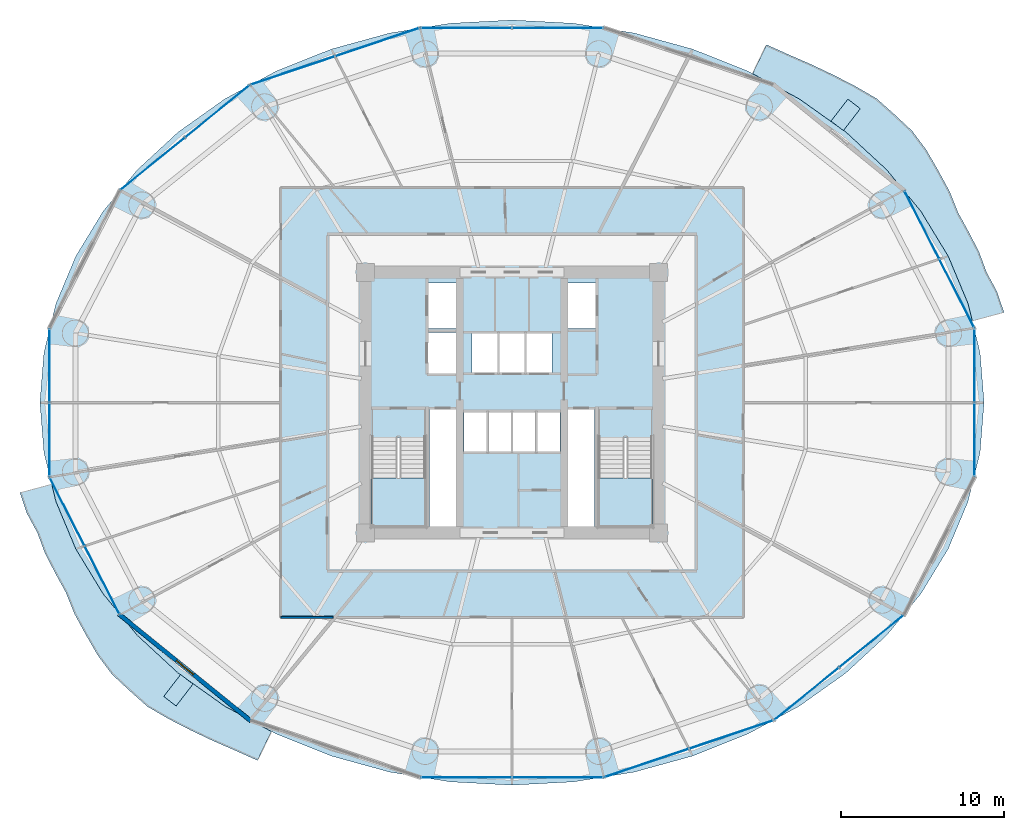
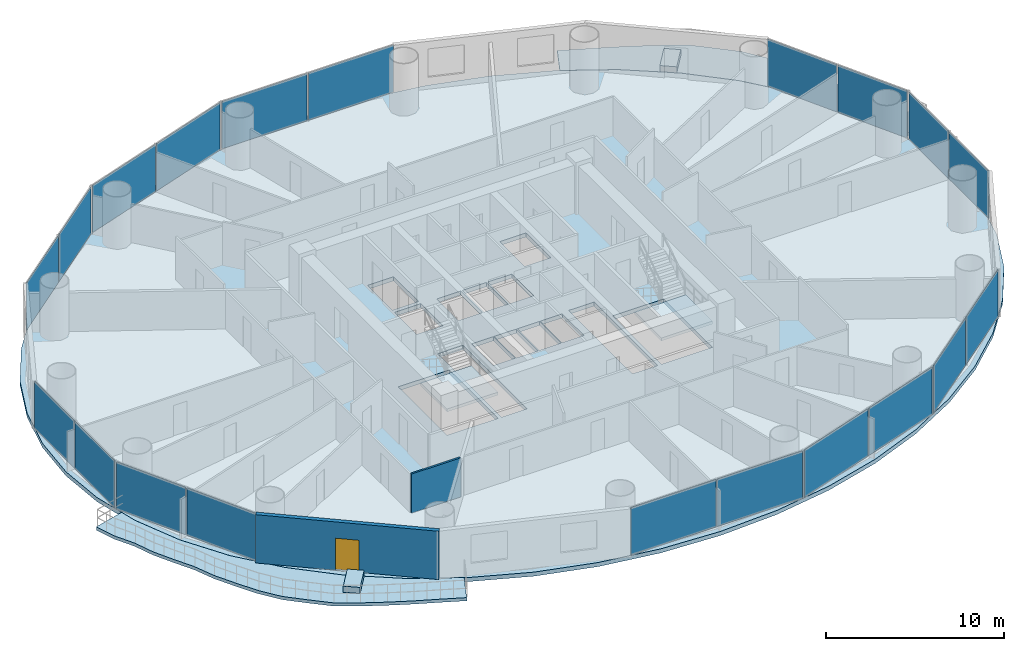
# One storey, part 21 of 29: 20 plates, 7 slabs, 2 walls, 1 door, 1 opening, 12 elements without a shape of their own.
"""IFC4 building model written with IfcOpenShell, lengths in metres."""

from ifc_helpers import new_model, si_unit, direction, frame, frame_2d, origin, origin_2d, place, context, subcontext, project, spatial, polyline, rectangle, outline, extrude, source, transform, mapped, material, layer, layer_set, type_object, element, fill, aggregate, save


model = new_model("IFC4")

# Units and contexts
model_context = context("Model", 3, precision=1e-05, world=origin(), true_north=direction((-0.2419218956, 0.970295726276)))
body_context = subcontext(model_context, "Body", "Model", "MODEL_VIEW")
ifc_project = project(units=[si_unit("LENGTHUNIT", "METRE"), si_unit("AREAUNIT", "SQUARE_METRE"), si_unit("VOLUMEUNIT", "CUBIC_METRE"), si_unit("PLANEANGLEUNIT", "RADIAN"), si_unit("MASSUNIT", "GRAM", prefix="KILO")], contexts=[model_context])

# Site, building, storey
site_placement = place(None, origin())
site = spatial("IfcSite", under=ifc_project, at=site_placement, CompositionType="ELEMENT")
building_placement = place(site_placement, origin())
building = spatial("IfcBuilding", under=site, at=building_placement, Name="Cobrevalo Terracotta Tower", CompositionType="ELEMENT")
storey_placement = place(building_placement, frame((0.0, 0.0, 52.800048828125)))
storey = spatial("IfcBuildingStorey", under=building, at=storey_placement, Name="L13", CompositionType="ELEMENT", Elevation=52.800048828125)

# Stair, slab
ifc_material_1 = material(Name="Concrete C50", Category="concrete")
stair_type = type_object("IfcStairType", Name="Core protected escape dogleg stair 1600", PredefinedType="HALF_TURN_STAIR", material=ifc_material_1)
stair_1_placement = place(storey_placement, origin())
stair_1 = element("IfcStair", 1, at=stair_1_placement, inside=storey, type_object=stair_type, Name="L13 Protected exit stair ST-1", PredefinedType="HALF_TURN_STAIR")
ifc_layer_1 = layer(ifc_material_1, 0.199951171875)
ifc_layer_set_1 = layer_set([ifc_layer_1], Name="Concrete C50")
slab_type_1 = type_object("IfcSlabType", Name="Reinforced Concrete Stair Landing 200", PredefinedType="LANDING", material=ifc_layer_set_1)
slab_1_placement = place(storey_placement, frame((0.0, 0.0, 1.599853515625)))
slab_1 = element("IfcSlab", 2, at=slab_1_placement, type_object=slab_type_1, Name="ST-1 landing 1", PredefinedType="LANDING", context=body_context, shape_type="SweptSolid", body=[
    extrude(outline(polyline([(29.375, 22.179931640625), (29.375, 19.175048828125), (32.695068359375, 19.175048828125), (32.695068359375, 22.179931640625), (29.375, 22.179931640625)])), origin(), (0.0, 0.0, 1.0), 0.2001953125),
])
aggregate(stair_1, [slab_1])

stair_2_placement = place(storey_placement, origin())
stair_2 = element("IfcStair", 3, at=stair_2_placement, inside=storey, type_object=stair_type, Name="L13 Protected exit stair ST-2", PredefinedType="HALF_TURN_STAIR")
slab_2_placement = place(storey_placement, frame((0.0, 0.0, 1.599853515625)))
slab_2 = element("IfcSlab", 4, at=slab_2_placement, type_object=slab_type_1, Name="ST-2 landing 1", PredefinedType="LANDING", context=body_context, shape_type="SweptSolid", body=[
    extrude(outline(polyline([(43.304931640625, 22.179931640625), (43.304931640625, 19.175048828125), (46.625, 19.175048828125), (46.625, 22.179931640625), (43.304931640625, 22.179931640625)])), origin(), (0.0, 0.0, 1.0), 0.2001953125),
])
aggregate(stair_2, [slab_2])

# Slabs
ifc_material_2 = material(Name="Concrete C45", Category="concrete")
ifc_layer_2 = layer(ifc_material_2, 0.219970703125)
ifc_layer_set_2 = layer_set([ifc_layer_2], Name="Concrete C45")
slab_type_2 = type_object("IfcSlabType", Name="Spiralling cantilevered balcony lobe slab 220 mm", PredefinedType="FLOOR", material=ifc_layer_set_2)
slab_3_placement = place(storey_placement, frame((0.0, 0.0, -0.219970703125)))
element("IfcSlab", 5, at=slab_3_placement, inside=storey, type_object=slab_type_2, Name="L13 spiralling arc balcony slab lobe 1", PredefinedType="FLOOR", context=body_context, shape_type="SweptSolid", body=[
    extrude(outline(polyline([(68.2216796875, 32.338623046875), (67.794189453125, 33.60595703125), (67.1484375, 34.8037109375), (66.68115234375, 36.067138671875), (66.056640625, 37.271240234375), (65.39697265625, 38.475341796875), (64.871337890625, 39.78125), (64.185302734375, 41.045166015625), (63.45556640625, 42.306640625), (62.581787109375, 43.48291015625), (61.49853515625, 44.491455078125), (60.395751953125, 45.472412109375), (59.0869140625, 46.232177734375), (57.746337890625, 46.922119140625), (56.3896484375, 47.564697265625), (55.001953125, 48.169677734375), (53.6337890625, 48.78369140625), (52.7783203125, 47.003173828125), (55.6552734375, 45.4453125), (58.507568359375, 43.41845703125), (61.0087890625, 41.107177734375), (63.116455078125, 38.551025390625), (64.79443359375, 35.7939453125), (66.013671875, 32.8828125), (66.2763671875, 31.8134765625), (68.2216796875, 32.338623046875)])), origin(), (0.0, 0.0, 1.0), 0.219970703125),
])
slab_4_placement = place(storey_placement, frame((0.0, 0.0, -0.219970703125)))
element("IfcSlab", 6, at=slab_4_placement, inside=storey, type_object=slab_type_2, Name="L13 spiralling arc balcony slab lobe 2", PredefinedType="FLOOR", context=body_context, shape_type="SweptSolid", body=[
    extrude(outline(polyline([(7.7783203125, 21.26123046875), (8.205810546875, 19.994140625), (8.8515625, 18.796142578125), (9.31884765625, 17.53271484375), (9.943359375, 16.328857421875), (10.60302734375, 15.12451171875), (11.128662109375, 13.818603515625), (11.814697265625, 12.554931640625), (12.54443359375, 11.293212890625), (13.418212890625, 10.1171875), (14.50146484375, 9.108642578125), (15.604248046875, 8.127685546875), (16.9130859375, 7.367919921875), (18.253662109375, 6.677978515625), (19.6103515625, 6.035400390625), (20.998046875, 5.43017578125), (22.3662109375, 4.81640625), (23.2216796875, 6.596923828125), (20.3447265625, 8.154541015625), (17.492431640625, 10.181640625), (14.9912109375, 12.492919921875), (12.883544921875, 15.049072265625), (11.20556640625, 17.80615234375), (9.986328125, 20.71728515625), (9.7236328125, 21.78662109375), (7.7783203125, 21.26123046875)])), origin(), (0.0, 0.0, 1.0), 0.219970703125),
])
ifc_material_3 = material(Name="Precast concrete C45", Category="concrete")
ifc_layer_3 = layer(ifc_material_3, 0.419921875)
ifc_layer_set_3 = layer_set([ifc_layer_3], Name="Precast concrete C45")
slab_type_3 = type_object("IfcSlabType", Name="Structural tree planter trough base 420 mm", PredefinedType="USERDEFINED", material=ifc_layer_set_3)
slab_5_placement = place(storey_placement, origin())
element("IfcSlab", 7, at=slab_5_placement, inside=storey, type_object=slab_type_3, Name="L13 structural tree planter trough 1", ObjectType="PLANTER", PredefinedType="USERDEFINED", context=body_context, shape_type="SweptSolid", body=[
    extrude(outline(polyline([(58.355224609375, 43.50537109375), (59.3935546875, 44.8515625), (58.63330078125, 45.437744140625), (57.594970703125, 44.091796875), (58.355224609375, 43.50537109375)])), origin(), (0.0, 0.0, 1.0), 0.419921875),
])
slab_6_placement = place(storey_placement, origin())
element("IfcSlab", 8, at=slab_6_placement, inside=storey, type_object=slab_type_3, Name="L13 structural tree planter trough 2", ObjectType="PLANTER", PredefinedType="USERDEFINED", context=body_context, shape_type="SweptSolid", body=[
    extrude(outline(polyline([(17.644775390625, 10.0947265625), (16.6064453125, 8.74853515625), (17.36669921875, 8.162109375), (18.405029296875, 9.50830078125), (17.644775390625, 10.0947265625)])), origin(), (0.0, 0.0, 1.0), 0.419921875),
])
ifc_layer_4 = layer(ifc_material_1, 0.280029296875)
ifc_layer_set_4 = layer_set([ifc_layer_4], Name="Concrete C50")
slab_type_4 = type_object("IfcSlabType", Name="Zone Z1 elliptical floor plate 280 mm", PredefinedType="FLOOR", material=ifc_layer_set_4)
slab_7_placement = place(storey_placement, frame((0.0, 0.0, -0.280029296875)))
element("IfcSlab", 9, at=slab_7_placement, inside=storey, type_object=slab_type_4, Name="L13 indoor elliptical floor slab", PredefinedType="FLOOR", context=body_context, shape_type="SweptSolid", body=[
    extrude(outline(polyline([(66.751953125, 23.732666015625), (66.011962890625, 20.7177734375), (64.79248046875, 17.806884765625), (63.11474609375, 15.050048828125), (61.00732421875, 12.494140625), (58.506103515625, 10.18310546875), (55.654052734375, 8.15625), (52.5, 6.448486328125), (49.097900390625, 5.0888671875), (45.505859375, 4.100830078125), (41.78515625, 3.5009765625), (38.0, 3.300048828125), (34.21484375, 3.5009765625), (30.494140625, 4.100830078125), (26.902099609375, 5.0888671875), (23.5, 6.448486328125), (20.345947265625, 8.15625), (17.493896484375, 10.18310546875), (14.99267578125, 12.494140625), (12.88525390625, 15.050048828125), (11.20751953125, 17.806884765625), (9.988037109375, 20.7177734375), (9.248046875, 23.732666015625), (9.0, 26.800048828125), (9.248046875, 29.867431640625), (9.988037109375, 32.88232421875), (11.20751953125, 35.79296875), (12.88525390625, 38.550048828125), (14.99267578125, 41.10595703125), (17.493896484375, 43.4169921875), (20.345947265625, 45.44384765625), (23.5, 47.151611328125), (26.902099609375, 48.51123046875), (30.494140625, 49.499267578125), (34.21484375, 50.098876953125), (38.0, 50.300048828125), (41.78515625, 50.098876953125), (45.505859375, 49.499267578125), (49.097900390625, 48.51123046875), (52.5, 47.151611328125), (55.654052734375, 45.44384765625), (58.506103515625, 43.4169921875), (61.00732421875, 41.10595703125), (63.11474609375, 38.550048828125), (64.79248046875, 35.79296875), (66.011962890625, 32.88232421875), (66.751953125, 29.867431640625), (67.0, 26.800048828125), (66.751953125, 23.732666015625)]), holes=[polyline([(32.695068359375, 19.175048828125), (32.695068359375, 24.659912109375), (29.375, 24.659912109375), (29.375, 19.175048828125), (32.695068359375, 19.175048828125)]), polyline([(34.574951171875, 19.175048828125), (34.574951171875, 26.360107421875), (32.919921875, 26.360107421875), (32.919921875, 19.175048828125), (34.574951171875, 19.175048828125)]), polyline([(36.47998046875, 23.800048828125), (36.47998046875, 26.25), (35.050048828125, 26.25), (35.050048828125, 23.800048828125), (36.47998046875, 23.800048828125)]), polyline([(37.9599609375, 23.800048828125), (37.9599609375, 26.25), (36.530029296875, 26.25), (36.530029296875, 23.800048828125), (37.9599609375, 23.800048828125)]), polyline([(37.1201171875, 28.60009765625), (37.1201171875, 31.050048828125), (35.550048828125, 31.050048828125), (35.550048828125, 28.60009765625), (37.1201171875, 28.60009765625)]), polyline([(34.550048828125, 28.60009765625), (34.550048828125, 31.10009765625), (32.85009765625, 31.10009765625), (32.85009765625, 28.60009765625), (34.550048828125, 28.60009765625)]), polyline([(34.550048828125, 31.35009765625), (34.550048828125, 34.14990234375), (32.85009765625, 34.14990234375), (32.85009765625, 31.35009765625), (34.550048828125, 31.35009765625)]), polyline([(46.625, 19.175048828125), (46.625, 24.659912109375), (43.304931640625, 24.659912109375), (43.304931640625, 19.175048828125), (46.625, 19.175048828125)]), polyline([(43.080078125, 19.175048828125), (43.080078125, 26.360107421875), (41.425048828125, 26.360107421875), (41.425048828125, 19.175048828125), (43.080078125, 19.175048828125)]), polyline([(39.469970703125, 23.800048828125), (39.469970703125, 26.25), (38.0400390625, 26.25), (38.0400390625, 23.800048828125), (39.469970703125, 23.800048828125)]), polyline([(40.949951171875, 23.800048828125), (40.949951171875, 26.25), (39.52001953125, 26.25), (39.52001953125, 23.800048828125), (40.949951171875, 23.800048828125)]), polyline([(38.780029296875, 28.60009765625), (38.780029296875, 31.050048828125), (37.219970703125, 31.050048828125), (37.219970703125, 28.60009765625), (38.780029296875, 28.60009765625)]), polyline([(40.449951171875, 28.60009765625), (40.449951171875, 31.050048828125), (38.8798828125, 31.050048828125), (38.8798828125, 28.60009765625), (40.449951171875, 28.60009765625)]), polyline([(43.14990234375, 31.35009765625), (43.14990234375, 34.14990234375), (41.449951171875, 34.14990234375), (41.449951171875, 31.35009765625), (43.14990234375, 31.35009765625)])]), origin(), (0.0, 0.0, 1.0), 0.280029296875),
])

# Curtain wall, plates
ifc_material_4 = material(Name="Anodized aluminium", Category="aluminium")
curtain_wall_type = type_object("IfcCurtainWallType", Name="Lower-tower unitised acoustic low-E curtain wall CW-U1", PredefinedType="NOTDEFINED", material=ifc_material_4)
curtain_wall_1_placement = place(storey_placement, origin())
curtain_wall_1 = element("IfcCurtainWall", 10, at=curtain_wall_1_placement, inside=storey, type_object=curtain_wall_type, Name="L13 curtain wall CW-L13-S06", PredefinedType="NOTDEFINED")
ifc_material_5 = material(Name="Solar-control low-E double glazing", Category="glass")
ifc_layer_5 = layer(ifc_material_5, 0.028076171875)
ifc_layer_set_5 = layer_set([ifc_layer_5], Name="Solar-control low-E double glazing")
plate_type = type_object("IfcPlateType", Name="Tower solar-control low-E vision glass panel 28 mm", PredefinedType="CURTAIN_PANEL", material=ifc_layer_set_5)
shared_shape_1 = source(origin(), body_context, "Body", "SweptSolid", [
    extrude(rectangle(XDim=5.023193359375, YDim=0.035888671875, at=origin_2d()), origin(), (0.0, 0.0, 1.0), 3.239990234375),
])
plate_1_placement = place(storey_placement, frame((19.891357421875, 44.68310546875, 0.0400390625), z_axis=(0.0, 0.0, 1.0), x_axis=(-0.777007547884, -0.629491279154, 0.0)))
plate_1 = element("IfcPlate", 11, at=plate_1_placement, type_object=plate_type, Name="CW-L13-S06 glazing panel B01", PredefinedType="CURTAIN_PANEL", context=body_context, shape_type="MappedRepresentation", body=[
    mapped(shared_shape_1, transform((0.0, 0.0, 0.0), scale=1.0)),
])
plate_2_placement = place(storey_placement, frame((15.926025390625, 41.470703125, 0.0400390625), z_axis=(0.0, 0.0, 1.0), x_axis=(-0.777007547884, -0.629491279154, 0.0)))
plate_2 = element("IfcPlate", 12, at=plate_2_placement, type_object=plate_type, Name="CW-L13-S06 glazing panel B02", PredefinedType="CURTAIN_PANEL", context=body_context, shape_type="MappedRepresentation", body=[
    mapped(shared_shape_1, transform((0.0, 0.0, 0.0), scale=1.0)),
])
aggregate(curtain_wall_1, [plate_1, plate_2])

curtain_wall_2_placement = place(storey_placement, origin())
curtain_wall_2 = element("IfcCurtainWall", 13, at=curtain_wall_2_placement, inside=storey, type_object=curtain_wall_type, Name="L13 curtain wall CW-L13-S14", PredefinedType="NOTDEFINED")
plate_3_placement = place(storey_placement, frame((56.108642578125, 8.916748046875, 0.0400390625), z_axis=(0.0, 0.0, 1.0), x_axis=(0.777007547884, 0.629491279154, 0.0)))
plate_3 = element("IfcPlate", 14, at=plate_3_placement, type_object=plate_type, Name="CW-L13-S14 glazing panel B01", PredefinedType="CURTAIN_PANEL", context=body_context, shape_type="MappedRepresentation", body=[
    mapped(shared_shape_1, transform((0.0, 0.0, 0.0), scale=1.0)),
])
plate_4_placement = place(storey_placement, frame((60.073974609375, 12.12939453125, 0.0400390625), z_axis=(0.0, 0.0, 1.0), x_axis=(0.777007547884, 0.629491279154, 0.0)))
plate_4 = element("IfcPlate", 15, at=plate_4_placement, type_object=plate_type, Name="CW-L13-S14 glazing panel B02", PredefinedType="CURTAIN_PANEL", context=body_context, shape_type="MappedRepresentation", body=[
    mapped(shared_shape_1, transform((0.0, 0.0, 0.0), scale=1.0)),
])
aggregate(curtain_wall_2, [plate_3, plate_4])

curtain_wall_3_placement = place(storey_placement, origin())
curtain_wall_3 = element("IfcCurtainWall", 16, at=curtain_wall_3_placement, inside=storey, type_object=curtain_wall_type, Name="L13 curtain wall CW-L13-S05", PredefinedType="NOTDEFINED")
shared_shape_2 = source(origin(), body_context, "Body", "SweptSolid", [
    extrude(rectangle(XDim=5.3876953125, YDim=0.035888671875, at=origin_2d()), origin(), (0.0, 0.0, 1.0), 3.239990234375),
])
plate_5_placement = place(storey_placement, frame((29.718505859375, 48.9365234375, 0.0400390625), z_axis=(0.0, 0.0, 1.0), x_axis=(-0.948044172593, -0.318138722592, 0.0)))
plate_5 = element("IfcPlate", 17, at=plate_5_placement, type_object=plate_type, Name="CW-L13-S05 glazing panel B01", PredefinedType="CURTAIN_PANEL", context=body_context, shape_type="MappedRepresentation", body=[
    mapped(shared_shape_2, transform((0.0, 0.0, 0.0), scale=1.0)),
])
plate_6_placement = place(storey_placement, frame((24.534912109375, 47.197021484375, 0.0400390625), z_axis=(0.0, 0.0, 1.0), x_axis=(-0.948044172593, -0.318138722592, 0.0)))
plate_6 = element("IfcPlate", 18, at=plate_6_placement, type_object=plate_type, Name="CW-L13-S05 glazing panel B02", PredefinedType="CURTAIN_PANEL", context=body_context, shape_type="MappedRepresentation", body=[
    mapped(shared_shape_2, transform((0.0, 0.0, 0.0), scale=1.0)),
])
aggregate(curtain_wall_3, [plate_5, plate_6])

curtain_wall_4_placement = place(storey_placement, origin())
curtain_wall_4 = element("IfcCurtainWall", 19, at=curtain_wall_4_placement, inside=storey, type_object=curtain_wall_type, Name="L13 curtain wall CW-L13-S13", PredefinedType="NOTDEFINED")
plate_7_placement = place(storey_placement, frame((46.281494140625, 4.663330078125, 0.0400390625), z_axis=(0.0, 0.0, 1.0), x_axis=(0.948044172593, 0.318138722592, 0.0)))
plate_7 = element("IfcPlate", 20, at=plate_7_placement, type_object=plate_type, Name="CW-L13-S13 glazing panel B01", PredefinedType="CURTAIN_PANEL", context=body_context, shape_type="MappedRepresentation", body=[
    mapped(shared_shape_2, transform((0.0, 0.0, 0.0), scale=1.0)),
])
plate_8_placement = place(storey_placement, frame((51.465087890625, 6.40283203125, 0.0400390625), z_axis=(0.0, 0.0, 1.0), x_axis=(0.948044172593, 0.318138722592, 0.0)))
plate_8 = element("IfcPlate", 21, at=plate_8_placement, type_object=plate_type, Name="CW-L13-S13 glazing panel B02", PredefinedType="CURTAIN_PANEL", context=body_context, shape_type="MappedRepresentation", body=[
    mapped(shared_shape_2, transform((0.0, 0.0, 0.0), scale=1.0)),
])
aggregate(curtain_wall_4, [plate_7, plate_8])

curtain_wall_5_placement = place(storey_placement, origin())
curtain_wall_5 = element("IfcCurtainWall", 22, at=curtain_wall_5_placement, inside=storey, type_object=curtain_wall_type, Name="L13 curtain wall CW-L13-S04", PredefinedType="NOTDEFINED")
shared_shape_3 = source(origin(), body_context, "Body", "SweptSolid", [
    extrude(rectangle(XDim=5.53173828125, YDim=0.035888671875, at=origin_2d()), origin(), (0.0, 0.0, 1.0), 3.239990234375),
])
plate_9_placement = place(storey_placement, frame((40.805908203125, 49.819091796875, 0.0400390625), z_axis=(0.0, 0.0, 1.0), x_axis=(-1.0, 0.0, 0.0)))
plate_9 = element("IfcPlate", 23, at=plate_9_placement, type_object=plate_type, Name="CW-L13-S04 glazing panel B01", PredefinedType="CURTAIN_PANEL", context=body_context, shape_type="MappedRepresentation", body=[
    mapped(shared_shape_3, transform((0.0, 0.0, 0.0), scale=1.0)),
])
plate_10_placement = place(storey_placement, frame((35.194091796875, 49.819091796875, 0.0400390625), z_axis=(0.0, 0.0, 1.0), x_axis=(-1.0, 0.0, 0.0)))
plate_10 = element("IfcPlate", 24, at=plate_10_placement, type_object=plate_type, Name="CW-L13-S04 glazing panel B02", PredefinedType="CURTAIN_PANEL", context=body_context, shape_type="MappedRepresentation", body=[
    mapped(shared_shape_3, transform((0.0, 0.0, 0.0), scale=1.0)),
])
aggregate(curtain_wall_5, [plate_9, plate_10])

curtain_wall_6_placement = place(storey_placement, origin())
curtain_wall_6 = element("IfcCurtainWall", 25, at=curtain_wall_6_placement, inside=storey, type_object=curtain_wall_type, Name="L13 curtain wall CW-L13-S12", PredefinedType="NOTDEFINED")
plate_11_placement = place(storey_placement, frame((35.194091796875, 3.781005859375, 0.0400390625), z_axis=(0.0, 0.0, 1.0), x_axis=(1.0, 0.0, 0.0)))
plate_11 = element("IfcPlate", 26, at=plate_11_placement, type_object=plate_type, Name="CW-L13-S12 glazing panel B01", PredefinedType="CURTAIN_PANEL", context=body_context, shape_type="MappedRepresentation", body=[
    mapped(shared_shape_3, transform((0.0, 0.0, 0.0), scale=1.0)),
])
plate_12_placement = place(storey_placement, frame((40.805908203125, 3.781005859375, 0.0400390625), z_axis=(0.0, 0.0, 1.0), x_axis=(1.0, 0.0, 0.0)))
plate_12 = element("IfcPlate", 27, at=plate_12_placement, type_object=plate_type, Name="CW-L13-S12 glazing panel B02", PredefinedType="CURTAIN_PANEL", context=body_context, shape_type="MappedRepresentation", body=[
    mapped(shared_shape_3, transform((0.0, 0.0, 0.0), scale=1.0)),
])
aggregate(curtain_wall_6, [plate_11, plate_12])

curtain_wall_7_placement = place(storey_placement, origin())
curtain_wall_7 = element("IfcCurtainWall", 28, at=curtain_wall_7_placement, inside=storey, type_object=curtain_wall_type, Name="L13 curtain wall CW-L13-S08", PredefinedType="NOTDEFINED")
shared_shape_4 = source(origin(), body_context, "Body", "SweptSolid", [
    extrude(rectangle(XDim=4.458740234375, YDim=0.035888671875, at=origin_2d()), origin(), (0.0, 0.0, 1.0), 3.239990234375),
])
plate_13_placement = place(storey_placement, frame((9.586669921875, 29.0693359375, 0.0400390625), z_axis=(0.0, 0.0, 1.0), x_axis=(0.0, -1.0, 0.0)))
plate_13 = element("IfcPlate", 29, at=plate_13_placement, type_object=plate_type, Name="CW-L13-S08 glazing panel B01", PredefinedType="CURTAIN_PANEL", context=body_context, shape_type="MappedRepresentation", body=[
    mapped(shared_shape_4, transform((0.0, 0.0, 0.0), scale=1.0)),
])
plate_14_placement = place(storey_placement, frame((9.586669921875, 24.530517578125, 0.0400390625), z_axis=(0.0, 0.0, 1.0), x_axis=(0.0, -1.0, 0.0)))
plate_14 = element("IfcPlate", 30, at=plate_14_placement, type_object=plate_type, Name="CW-L13-S08 glazing panel B02", PredefinedType="CURTAIN_PANEL", context=body_context, shape_type="MappedRepresentation", body=[
    mapped(shared_shape_4, transform((0.0, 0.0, 0.0), scale=1.0)),
])
aggregate(curtain_wall_7, [plate_13, plate_14])

curtain_wall_8_placement = place(storey_placement, origin())
curtain_wall_8 = element("IfcCurtainWall", 31, at=curtain_wall_8_placement, inside=storey, type_object=curtain_wall_type, Name="L13 curtain wall CW-L13-S16", PredefinedType="NOTDEFINED")
plate_15_placement = place(storey_placement, frame((66.413330078125, 24.530517578125, 0.0400390625), z_axis=(0.0, 0.0, 1.0), x_axis=(0.0, 1.0, 0.0)))
plate_15 = element("IfcPlate", 32, at=plate_15_placement, type_object=plate_type, Name="CW-L13-S16 glazing panel B01", PredefinedType="CURTAIN_PANEL", context=body_context, shape_type="MappedRepresentation", body=[
    mapped(shared_shape_4, transform((0.0, 0.0, 0.0), scale=1.0)),
])
plate_16_placement = place(storey_placement, frame((66.413330078125, 29.0693359375, 0.0400390625), z_axis=(0.0, 0.0, 1.0), x_axis=(0.0, 1.0, 0.0)))
plate_16 = element("IfcPlate", 33, at=plate_16_placement, type_object=plate_type, Name="CW-L13-S16 glazing panel B02", PredefinedType="CURTAIN_PANEL", context=body_context, shape_type="MappedRepresentation", body=[
    mapped(shared_shape_4, transform((0.0, 0.0, 0.0), scale=1.0)),
])
aggregate(curtain_wall_8, [plate_15, plate_16])

curtain_wall_9_placement = place(storey_placement, origin())
curtain_wall_9 = element("IfcCurtainWall", 34, at=curtain_wall_9_placement, inside=storey, type_object=curtain_wall_type, Name="L13 curtain wall CW-L13-S01", PredefinedType="NOTDEFINED")
shared_shape_5 = source(origin(), body_context, "Body", "SweptSolid", [
    extrude(rectangle(XDim=4.631103515625, YDim=0.035888671875, at=origin_2d()), origin(), (0.0, 0.0, 1.0), 3.239990234375),
])
plate_17_placement = place(storey_placement, frame((65.32275390625, 33.51171875, 0.0400390625), z_axis=(0.0, 0.0, 1.0), x_axis=(-0.45523102861, 0.890373354605, 0.0)))
plate_17 = element("IfcPlate", 35, at=plate_17_placement, type_object=plate_type, Name="CW-L13-S01 glazing panel B01", PredefinedType="CURTAIN_PANEL", context=body_context, shape_type="MappedRepresentation", body=[
    mapped(shared_shape_5, transform((0.0, 0.0, 0.0), scale=1.0)),
])
plate_18_placement = place(storey_placement, frame((63.17822265625, 37.706298828125, 0.0400390625), z_axis=(0.0, 0.0, 1.0), x_axis=(-0.45523102861, 0.890373354605, 0.0)))
plate_18 = element("IfcPlate", 36, at=plate_18_placement, type_object=plate_type, Name="CW-L13-S01 glazing panel B02", PredefinedType="CURTAIN_PANEL", context=body_context, shape_type="MappedRepresentation", body=[
    mapped(shared_shape_5, transform((0.0, 0.0, 0.0), scale=1.0)),
])
aggregate(curtain_wall_9, [plate_17, plate_18])

curtain_wall_10_placement = place(storey_placement, origin())
curtain_wall_10 = element("IfcCurtainWall", 37, at=curtain_wall_10_placement, inside=storey, type_object=curtain_wall_type, Name="L13 curtain wall CW-L13-S09", PredefinedType="NOTDEFINED")
plate_19_placement = place(storey_placement, frame((10.67724609375, 20.08837890625, 0.0400390625), z_axis=(0.0, 0.0, 1.0), x_axis=(0.45523102861, -0.890373354605, 0.0)))
plate_19 = element("IfcPlate", 38, at=plate_19_placement, type_object=plate_type, Name="CW-L13-S09 glazing panel B01", PredefinedType="CURTAIN_PANEL", context=body_context, shape_type="MappedRepresentation", body=[
    mapped(shared_shape_5, transform((0.0, 0.0, 0.0), scale=1.0)),
])
plate_20_placement = place(storey_placement, frame((12.82177734375, 15.893798828125, 0.0400390625), z_axis=(0.0, 0.0, 1.0), x_axis=(0.45523102861, -0.890373354605, 0.0)))
plate_20 = element("IfcPlate", 39, at=plate_20_placement, type_object=plate_type, Name="CW-L13-S09 glazing panel B02", PredefinedType="CURTAIN_PANEL", context=body_context, shape_type="MappedRepresentation", body=[
    mapped(shared_shape_5, transform((0.0, 0.0, 0.0), scale=1.0)),
])
aggregate(curtain_wall_10, [plate_19, plate_20])

# Wall, opening, door
ifc_material_6 = material(Name="Autoclaved aerated concrete block", Category="concrete")
ifc_layer_6 = layer(ifc_material_6, 0.260009765625)
ifc_layer_set_6 = layer_set([ifc_layer_6], Name="Autoclaved aerated concrete block")
wall_type_1 = type_object("IfcWallType", Name="Recessed balcony loggia insulated exterior wall 260 mm", PredefinedType="SOLIDWALL", material=ifc_layer_set_6)
wall_1_placement = place(storey_placement, frame((13.85009765625, 13.81103515625, 0.0), z_axis=(0.0, 0.0, 1.0), x_axis=(0.777016782851, -0.629479879875, 0.0)))
wall_1 = element("IfcWall", 40, at=wall_1_placement, inside=storey, type_object=wall_type_1, Name="L13 balcony loggia wall S10", PredefinedType="SOLIDWALL", context=body_context, shape_type="SweptSolid", body=[
    extrude(rectangle(XDim=10.446533203125, YDim=0.260009765625, at=frame_2d((5.22314453125, 0.0))), origin(), (0.0, 0.0, 1.0), 3.320068359375),
])
opening_placement = place(wall_1_placement, frame((4.54833984375, 0.0, 0.0)))
opening = element("IfcOpeningElement", 41, at=opening_placement, cuts=wall_1, Name="Opening ED-05", PredefinedType="OPENING", context=body_context, shape_type="SweptSolid", body=[
    extrude(rectangle(XDim=1.35009765625, YDim=2.199951171875, at=frame_2d((0.675048828125, 1.10009765625))), frame((0.0, 0.14013671875, 0.0), z_axis=(0.0, -1.0, 0.0), x_axis=(1.0, 0.0, 0.0)), (0.0, 0.0, 1.0), 0.280029296875),
])
ifc_material_7 = material(Name="Anodized aluminium and laminated glass", Category="aluminium")
door_type = type_object("IfcDoorType", Name="Suite balcony acoustic glazed terrace door 1350x2200", OperationType="NOTDEFINED", PredefinedType="DOOR", material=ifc_material_7)
shared_shape_6 = source(origin(), body_context, "Body", "SweptSolid", [
    extrude(rectangle(XDim=1.35009765625, YDim=2.199951171875, at=frame_2d((0.675048828125, 1.10009765625))), frame((0.0, 0.02490234375, 0.0), z_axis=(0.0, -1.0, 0.0), x_axis=(1.0, 0.0, 0.0)), (0.0, 0.0, 1.0), 0.050048828125),
])
door_placement = place(opening_placement, frame((1.35009765625, 0.0, 0.0), z_axis=(0.0, 0.0, 1.0), x_axis=(-1.0, 0.0, 0.0)))
door = element("IfcDoor", 42, at=door_placement, inside=storey, type_object=door_type, Name="L13 glazed balcony terrace door 2", OperationType="SINGLE_SWING_RIGHT", OverallHeight=2.199951171875, OverallWidth=1.35009765625, PredefinedType="DOOR", context=body_context, shape_type="MappedRepresentation", body=[
    mapped(shared_shape_6, transform((0.0, 0.0, 0.0), scale=1.0)),
])
fill(opening, door)

# Wall
ifc_material_8 = material(Name="Gypsum board on steel stud", Category="steel")
ifc_layer_7 = layer(ifc_material_8, 0.1201171875)
ifc_layer_set_7 = layer_set([ifc_layer_7], Name="Gypsum board on steel stud")
wall_type_2 = type_object("IfcWallType", Name="Residential internal acoustic stud partition 120 mm", PredefinedType="PARTITIONING", material=ifc_layer_set_7)
wall_2_placement = place(storey_placement, frame((27.017822265625, 13.60498046875, 0.0), z_axis=(0.0, 0.0, 1.0), x_axis=(-1.0, 0.0, 0.0)))
element("IfcWall", 43, at=wall_2_placement, inside=storey, type_object=wall_type_2, Name="L13 interior partition IW-L13-U3-RING0_0", PredefinedType="PARTITIONING", context=body_context, shape_type="SweptSolid", body=[
    extrude(rectangle(XDim=3.212890625, YDim=0.1201171875, at=frame_2d((1.6064453125, 0.0))), origin(), (0.0, 0.0, 1.0), 2.68798828125),
])

save(model, "model.ifc")
